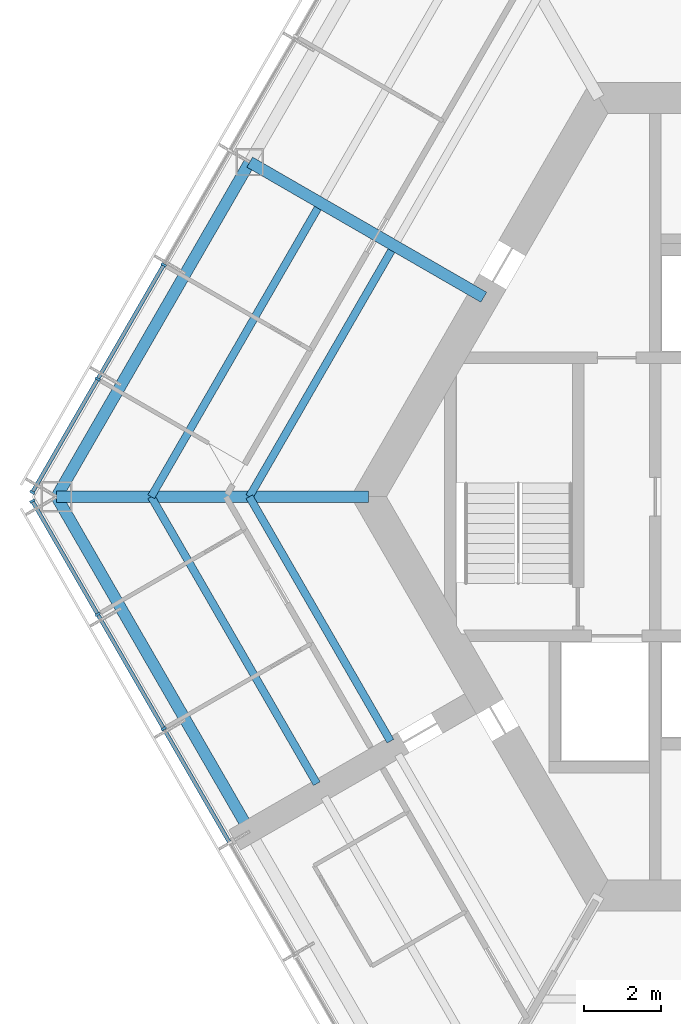
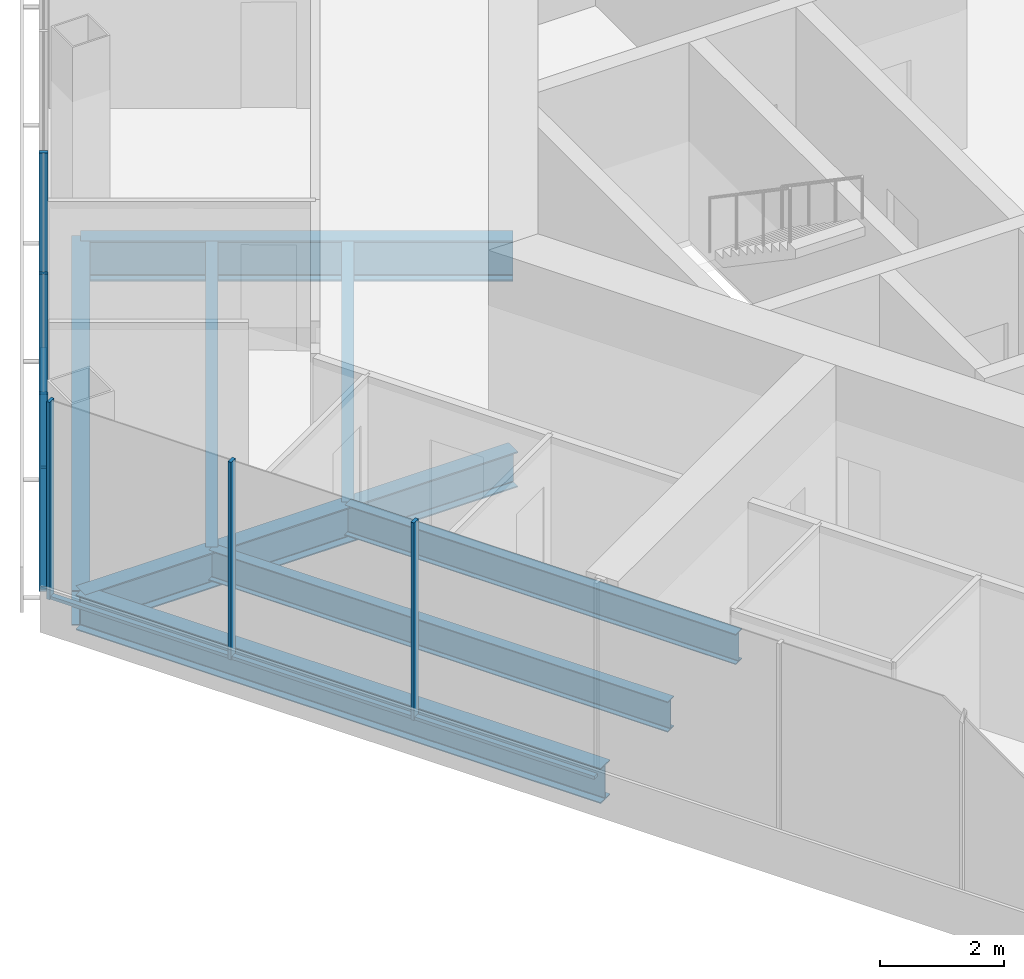
# One storey, part 3 of 17: 11 members, 8 beams, 2 elements without a shape of their own.
"""IFC4 building model written with IfcOpenShell, lengths in metres."""

from ifc_helpers import new_model, si_unit, direction, frame, origin, origin_2d, place, context, subcontext, project, spatial, rectangle, i_section, extrude, material, material_profile, profile_set, type_object, element, aggregate, save


model = new_model("IFC4")

# Units and contexts
model_context = context("Model", 3, precision=1e-05, world=origin(), true_north=direction((0.0, 1.0)))
body_context = subcontext(model_context, "Body", "Model", "MODEL_VIEW")
ifc_project = project(units=[si_unit("LENGTHUNIT", "METRE"), si_unit("AREAUNIT", "SQUARE_METRE"), si_unit("VOLUMEUNIT", "CUBIC_METRE"), si_unit("PLANEANGLEUNIT", "RADIAN"), si_unit("MASSUNIT", "GRAM", prefix="KILO")], contexts=[model_context])

# Site, building, storey
site_placement = place(None, origin())
site = spatial("IfcSite", under=ifc_project, at=site_placement, CompositionType="ELEMENT")
building_placement = place(site_placement, origin())
building = spatial("IfcBuilding", under=site, at=building_placement, Name="Kasaneha Research Tower", CompositionType="ELEMENT")
storey_placement = place(building_placement, frame((0.0, 0.0, 224.5)))
storey = spatial("IfcBuildingStorey", under=building, at=storey_placement, Name="L56", CompositionType="ELEMENT", Elevation=224.5)

# Beams
ifc_material_1 = material(Name="Steel SN490B", Category="steel")
ifc_material_profile_1 = material_profile(ifc_material_1, i_section(OverallWidth=0.199951171875, OverallDepth=0.60009765625, WebThickness=0.010986328125, FlangeThickness=0.01708984375, FilletRadius=0.012939453125, at=origin_2d()), Name="H-600x200x11x17")
ifc_profile_set_1 = profile_set([ifc_material_profile_1], Name="Steel SN490B")
beam_type_1 = type_object("IfcBeamType", Name="B1-3 secondary beam H-600x200x11x17", PredefinedType="JOIST", material=ifc_profile_set_1)
beam_1_placement = place(storey_placement, frame((-15.010986328125, 0.0, -0.449951171875), z_axis=(0.499994443168, 0.866028611999, 0.0), x_axis=(-0.866028611999, 0.499994443168, 0.0)))
element("IfcBeam", 1, at=beam_1_placement, inside=storey, type_object=beam_type_1, Name="Secondary beam RS150R1 L56", PredefinedType="JOIST", context=body_context, shape_type="SweptSolid", body=[
    extrude(i_section(OverallWidth=0.199951171875, OverallDepth=0.60009765625, WebThickness=0.010986328125, FlangeThickness=0.01708984375, FilletRadius=0.012939453125, at=origin_2d()), origin(), (0.0, 0.0, 1.0), 7.35546875),
])
beam_2_placement = place(storey_placement, frame((-17.551513671875, 0.0, -0.449951171875), z_axis=(0.5000050195, 0.866022505755, 0.0), x_axis=(-0.866022505755, 0.5000050195, 0.0)))
element("IfcBeam", 2, at=beam_2_placement, inside=storey, type_object=beam_type_1, Name="Secondary beam RS150R2 L56", PredefinedType="JOIST", context=body_context, shape_type="SweptSolid", body=[
    extrude(i_section(OverallWidth=0.199951171875, OverallDepth=0.60009765625, WebThickness=0.010986328125, FlangeThickness=0.01708984375, FilletRadius=0.012939453125, at=origin_2d()), origin(), (0.0, 0.0, 1.0), 8.6259765625),
])
beam_3_placement = place(storey_placement, frame((-15.010986328125, 0.0, -0.449951171875), z_axis=(0.499974128195, -0.866040340363, 0.0), x_axis=(0.866040340363, 0.499974128195, 0.0)))
element("IfcBeam", 3, at=beam_3_placement, inside=storey, type_object=beam_type_1, Name="Secondary beam RS210L1 L56", PredefinedType="JOIST", context=body_context, shape_type="SweptSolid", body=[
    extrude(i_section(OverallWidth=0.199951171875, OverallDepth=0.60009765625, WebThickness=0.010986328125, FlangeThickness=0.01708984375, FilletRadius=0.012939453125, at=origin_2d()), origin(), (0.0, 0.0, 1.0), 7.3056640625),
])
beam_4_placement = place(storey_placement, frame((-17.551513671875, 0.0, -0.449951171875), z_axis=(0.500000102728, -0.866025344474, 0.0), x_axis=(0.866025344474, 0.500000102728, 0.0)))
element("IfcBeam", 4, at=beam_4_placement, inside=storey, type_object=beam_type_1, Name="Secondary beam RS210L2 L56", PredefinedType="JOIST", context=body_context, shape_type="SweptSolid", body=[
    extrude(i_section(OverallWidth=0.199951171875, OverallDepth=0.60009765625, WebThickness=0.010986328125, FlangeThickness=0.01708984375, FilletRadius=0.012939453125, at=origin_2d()), origin(), (0.0, 0.0, 1.0), 8.57568359375),
])

# Curtain wall, members
ifc_material_2 = material(Name="Glass and aluminium", Category="aluminium")
curtain_wall_type = type_object("IfcCurtainWallType", Name="High-rise office curtain wall", PredefinedType="USERDEFINED", material=ifc_material_2)
curtain_wall_1_placement = place(storey_placement, origin())
curtain_wall_1 = element("IfcCurtainWall", 5, at=curtain_wall_1_placement, inside=storey, type_object=curtain_wall_type, Name="CW-O3 L56 run 03a", ObjectType="UNITISED CURTAIN WALL", PredefinedType="USERDEFINED")
ifc_material_3 = material(Name="Aluminium 6063-T6", Category="aluminium")
ifc_material_profile_2 = material_profile(ifc_material_3, rectangle(XDim=0.06005859375, YDim=0.139892578125, at=origin_2d()), Name="CW-O3 mullion 60x140")
ifc_profile_set_2 = profile_set([ifc_material_profile_2], Name="Aluminium 6063-T6")
member_type_1 = type_object("IfcMemberType", Name="CW-O3 mullion", PredefinedType="MULLION", material=ifc_profile_set_2)
member_1_placement = place(storey_placement, frame((-17.227294921875, 6.00244140625, 0.0), z_axis=(0.0, 0.0, 1.0), x_axis=(-0.499999995722, -0.866025406254, 0.0)))
member_1 = element("IfcMember", 6, at=member_1_placement, type_object=member_type_1, Name="CW-O3 mullion 5", PredefinedType="MULLION", context=body_context, shape_type="SweptSolid", body=[
    extrude(rectangle(XDim=0.06005859375, YDim=0.139892578125, at=origin_2d()), origin(), (0.0, 0.0, 1.0), 3.89990234375),
])
member_2_placement = place(storey_placement, frame((-18.93505859375, 3.04443359375, 0.0), z_axis=(0.0, 0.0, 1.0), x_axis=(-0.499999995722, -0.866025406254, 0.0)))
member_2 = element("IfcMember", 7, at=member_2_placement, type_object=member_type_1, Name="CW-O3 mullion 6", PredefinedType="MULLION", context=body_context, shape_type="SweptSolid", body=[
    extrude(rectangle(XDim=0.06005859375, YDim=0.139892578125, at=origin_2d()), origin(), (0.0, 0.0, 1.0), 3.89990234375),
])
member_3_placement = place(storey_placement, frame((-20.6279296875, 0.112548828125, 0.0), z_axis=(0.0, 0.0, 1.0), x_axis=(-0.499999995722, -0.866025406254, 0.0)))
member_3 = element("IfcMember", 8, at=member_3_placement, type_object=member_type_1, Name="CW-O3 mullion 7", PredefinedType="MULLION", context=body_context, shape_type="SweptSolid", body=[
    extrude(rectangle(XDim=0.06005859375, YDim=0.139892578125, at=origin_2d()), origin(), (0.0, 0.0, 1.0), 3.89990234375),
])

curtain_wall_2_placement = place(storey_placement, origin())
curtain_wall_2 = element("IfcCurtainWall", 9, at=curtain_wall_2_placement, inside=storey, type_object=curtain_wall_type, Name="CW-O3 L56 run 04a", ObjectType="UNITISED CURTAIN WALL", PredefinedType="USERDEFINED")
member_4_placement = place(storey_placement, frame((-20.6279296875, -0.112548828125, 0.0), z_axis=(0.0, 0.0, 1.0), x_axis=(0.499999995722, -0.866025406254, 0.0)))
member_4 = element("IfcMember", 10, at=member_4_placement, type_object=member_type_1, Name="CW-O3 mullion 1", PredefinedType="MULLION", context=body_context, shape_type="SweptSolid", body=[
    extrude(rectangle(XDim=0.06005859375, YDim=0.139892578125, at=origin_2d()), origin(), (0.0, 0.0, 1.0), 3.89990234375),
])
member_5_placement = place(storey_placement, frame((-18.93505859375, -3.04443359375, 0.0), z_axis=(0.0, 0.0, 1.0), x_axis=(0.499999995722, -0.866025406254, 0.0)))
member_5 = element("IfcMember", 11, at=member_5_placement, type_object=member_type_1, Name="CW-O3 mullion 2", PredefinedType="MULLION", context=body_context, shape_type="SweptSolid", body=[
    extrude(rectangle(XDim=0.06005859375, YDim=0.139892578125, at=origin_2d()), origin(), (0.0, 0.0, 1.0), 3.89990234375),
])
member_6_placement = place(storey_placement, frame((-17.227294921875, -6.00244140625, 0.0), z_axis=(0.0, 0.0, 1.0), x_axis=(0.499999995722, -0.866025406254, 0.0)))
member_6 = element("IfcMember", 12, at=member_6_placement, type_object=member_type_1, Name="CW-O3 mullion 3", PredefinedType="MULLION", context=body_context, shape_type="SweptSolid", body=[
    extrude(rectangle(XDim=0.06005859375, YDim=0.139892578125, at=origin_2d()), origin(), (0.0, 0.0, 1.0), 3.89990234375),
])

# Member
ifc_material_4 = material(Name="Aluminium 6063-T6", Category="aluminium")
ifc_material_profile_3 = material_profile(ifc_material_4, rectangle(XDim=0.10009765625, YDim=0.06005859375, at=origin_2d()), Name="CW-O3 transom 100x60")
ifc_profile_set_3 = profile_set([ifc_material_profile_3], Name="Aluminium 6063-T6")
member_type_2 = type_object("IfcMemberType", Name="CW-O3 transom", PredefinedType="USERDEFINED", material=ifc_profile_set_3)
member_7_placement = place(storey_placement, frame((-17.242431640625, 5.976318359375, 0.030029296875), z_axis=(-0.500020578564, -0.866013522419, 0.0), x_axis=(0.866013522419, -0.500020578564, 0.0)))
member_7 = element("IfcMember", 13, at=member_7_placement, type_object=member_type_2, Name="CW-O3 transom 5", ObjectType="TRANSOM", PredefinedType="USERDEFINED", context=body_context, shape_type="SweptSolid", body=[
    extrude(rectangle(XDim=0.10009765625, YDim=0.06005859375, at=origin_2d()), origin(), (0.0, 0.0, 1.0), 3.355224609375),
])

member_8_placement = place(storey_placement, frame((-18.9501953125, 3.0185546875, 0.030029296875), z_axis=(-0.49997666526, -0.866038875684, 0.0), x_axis=(0.866038875684, -0.49997666526, 0.0)))
member_8 = element("IfcMember", 14, at=member_8_placement, type_object=member_type_2, Name="CW-O3 transom 6", ObjectType="TRANSOM", PredefinedType="USERDEFINED", context=body_context, shape_type="SweptSolid", body=[
    extrude(rectangle(XDim=0.10009765625, YDim=0.06005859375, at=origin_2d()), origin(), (0.0, 0.0, 1.0), 3.325439453125),
])

aggregate(curtain_wall_1, [member_1, member_2, member_3, member_7, member_8])

member_9_placement = place(storey_placement, frame((-20.61279296875, -0.138671875, 0.030029296875), z_axis=(0.49997666526, -0.866038875684, 0.0), x_axis=(0.866038875684, 0.49997666526, 0.0)))
member_9 = element("IfcMember", 15, at=member_9_placement, type_object=member_type_2, Name="CW-O3 transom 1", ObjectType="TRANSOM", PredefinedType="USERDEFINED", context=body_context, shape_type="SweptSolid", body=[
    extrude(rectangle(XDim=0.10009765625, YDim=0.06005859375, at=origin_2d()), origin(), (0.0, 0.0, 1.0), 3.325439453125),
])

member_10_placement = place(storey_placement, frame((-18.920166015625, -3.070556640625, 0.030029296875), z_axis=(0.500020578564, -0.866013522419, 0.0), x_axis=(0.866013522419, 0.500020578564, 0.0)))
member_10 = element("IfcMember", 16, at=member_10_placement, type_object=member_type_2, Name="CW-O3 transom 2", ObjectType="TRANSOM", PredefinedType="USERDEFINED", context=body_context, shape_type="SweptSolid", body=[
    extrude(rectangle(XDim=0.10009765625, YDim=0.06005859375, at=origin_2d()), origin(), (0.0, 0.0, 1.0), 3.355224609375),
])

member_11_placement = place(storey_placement, frame((-17.21240234375, -6.0283203125, 0.030029296875), z_axis=(0.499989072476, -0.866031712701, 0.0), x_axis=(0.866031712701, 0.499989072476, 0.0)))
member_11 = element("IfcMember", 17, at=member_11_placement, type_object=member_type_2, Name="CW-O3 transom 3", ObjectType="TRANSOM", PredefinedType="USERDEFINED", context=body_context, shape_type="SweptSolid", body=[
    extrude(rectangle(XDim=0.10009765625, YDim=0.06005859375, at=origin_2d()), origin(), (0.0, 0.0, 1.0), 3.35546875),
])

aggregate(curtain_wall_2, [member_4, member_5, member_6, member_9, member_10, member_11])

# Beams
ifc_material_5 = material(Name="Steel SN490B", Category="steel")
ifc_material_profile_4 = material_profile(ifc_material_5, i_section(OverallWidth=0.300048828125, OverallDepth=0.699951171875, WebThickness=0.012939453125, FlangeThickness=0.02392578125, FilletRadius=0.01806640625, at=origin_2d()), Name="H-700x300x13x24")
ifc_profile_set_4 = profile_set([ifc_material_profile_4], Name="Steel SN490B")
beam_type_2 = type_object("IfcBeamType", Name="G1-3 radial girder H-700x300x13x24", PredefinedType="BEAM", material=ifc_profile_set_4)
beam_5_placement = place(storey_placement, frame((-11.92236328125, 0.0, -0.5), z_axis=(-1.0, 0.0, 0.0), x_axis=(0.0, -1.0, 0.0)))
element("IfcBeam", 18, at=beam_5_placement, inside=storey, type_object=beam_type_2, Name="Radial girder RV180 L56", PredefinedType="BEAM", context=body_context, shape_type="SweptSolid", body=[
    extrude(i_section(OverallWidth=0.300048828125, OverallDepth=0.699951171875, WebThickness=0.012939453125, FlangeThickness=0.02392578125, FilletRadius=0.01806640625, at=origin_2d()), origin(), (0.0, 0.0, 1.0), 8.07763671875),
])
ifc_material_6 = material(Name="Steel SN490B", Category="steel")
ifc_material_profile_5 = material_profile(ifc_material_6, i_section(OverallWidth=0.300048828125, OverallDepth=0.800048828125, WebThickness=0.013916015625, FlangeThickness=0.02587890625, FilletRadius=0.01806640625, at=origin_2d()), Name="H-800x300x14x26")
ifc_profile_set_5 = profile_set([ifc_material_profile_5], Name="Steel SN490B")
beam_type_3 = type_object("IfcBeamType", Name="G2-3 radial girder H-800x300x14x26", PredefinedType="BEAM", material=ifc_profile_set_5)
beam_6_placement = place(storey_placement, frame((-8.941650390625, 5.16259765625, -0.550048828125), z_axis=(-0.866039713508, 0.499975214012, 0.0), x_axis=(-0.499975214012, -0.866039713508, 0.0)))
element("IfcBeam", 19, at=beam_6_placement, inside=storey, type_object=beam_type_3, Name="Radial girder RM150 L56", PredefinedType="BEAM", context=body_context, shape_type="SweptSolid", body=[
    extrude(i_section(OverallWidth=0.300048828125, OverallDepth=0.800048828125, WebThickness=0.013916015625, FlangeThickness=0.02587890625, FilletRadius=0.01806640625, at=origin_2d()), origin(), (0.0, 0.0, 1.0), 6.995361328125),
])
ifc_material_7 = material(Name="Steel SN490B", Category="steel")
ifc_material_profile_6 = material_profile(ifc_material_7, i_section(OverallWidth=0.300048828125, OverallDepth=0.69189453125, WebThickness=0.012939453125, FlangeThickness=0.02001953125, FilletRadius=0.01806640625, at=origin_2d()), Name="H-692x300x13x20")
ifc_profile_set_6 = profile_set([ifc_material_profile_6], Name="Steel SN490B")
beam_type_4 = type_object("IfcBeamType", Name="G3-3 plate edge girder H-692x300x13x20", PredefinedType="BEAM", material=ifc_profile_set_6)
beam_7_placement = place(storey_placement, frame((-20.0, 0.0, -0.49609375), z_axis=(0.49999201416, -0.866030014362, 0.0), x_axis=(0.866030014362, 0.49999201416, 0.0)))
element("IfcBeam", 20, at=beam_7_placement, inside=storey, type_object=beam_type_4, Name="Plate edge girder PEBP L56", PredefinedType="BEAM", context=body_context, shape_type="SweptSolid", body=[
    extrude(i_section(OverallWidth=0.300048828125, OverallDepth=0.69189453125, WebThickness=0.012939453125, FlangeThickness=0.02001953125, FilletRadius=0.01806640625, at=origin_2d()), origin(), (0.0, 0.0, 1.0), 9.800048828125),
])
ifc_material_8 = material(Name="Steel SN490B", Category="steel")
ifc_material_profile_7 = material_profile(ifc_material_8, i_section(OverallWidth=0.300048828125, OverallDepth=0.69189453125, WebThickness=0.012939453125, FlangeThickness=0.02001953125, FilletRadius=0.01806640625, at=origin_2d()), Name="H-692x300x13x20")
ifc_profile_set_7 = profile_set([ifc_material_profile_7], Name="Steel SN490B")
beam_type_5 = type_object("IfcBeamType", Name="SB1-3 spandrel beam H-692x300x13x20", PredefinedType="SPANDREL", material=ifc_profile_set_7)
beam_8_placement = place(storey_placement, frame((-20.0, 0.0, -0.49609375), z_axis=(0.500004234368, 0.866022959057, 0.0), x_axis=(-0.866022959057, 0.500004234368, 0.0)))
element("IfcBeam", 21, at=beam_8_placement, inside=storey, type_object=beam_type_5, Name="Spandrel beam SR150R L56", PredefinedType="SPANDREL", context=body_context, shape_type="SweptSolid", body=[
    extrude(i_section(OverallWidth=0.300048828125, OverallDepth=0.69189453125, WebThickness=0.012939453125, FlangeThickness=0.02001953125, FilletRadius=0.01806640625, at=origin_2d()), origin(), (0.0, 0.0, 1.0), 10.0),
])

save(model, "model.ifc")
